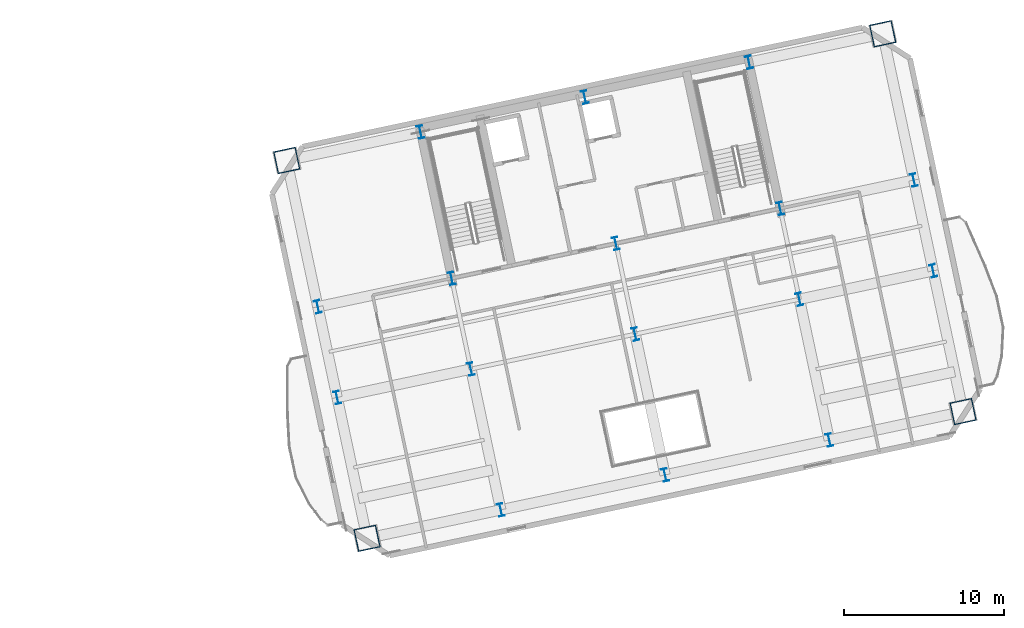
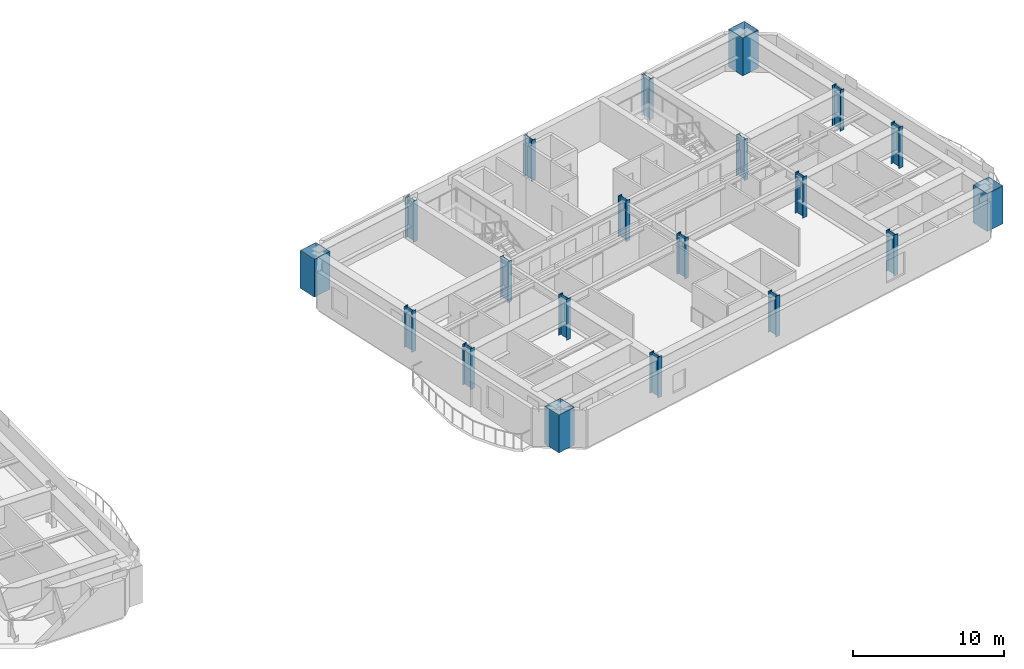
# One storey, part 2 of 15: 20 columns.
"""IFC4 building model written with IfcOpenShell, lengths in metres."""

from ifc_helpers import new_model, si_unit, direction, frame, origin, origin_2d, place, context, subcontext, project, spatial, hollow_rectangle, i_section, extrude, material, material_profile, profile_set, type_object, element, save


model = new_model("IFC4")

# Units and contexts
model_context = context("Model", 3, precision=1e-05, world=origin(), true_north=direction((0.0, 1.0)))
body_context = subcontext(model_context, "Body", "Model", "MODEL_VIEW")
ifc_project = project(units=[si_unit("LENGTHUNIT", "METRE"), si_unit("AREAUNIT", "SQUARE_METRE"), si_unit("VOLUMEUNIT", "CUBIC_METRE"), si_unit("PLANEANGLEUNIT", "RADIAN"), si_unit("MASSUNIT", "GRAM", prefix="KILO")], contexts=[model_context])

# Site, building, storey
site_placement = place(None, origin())
site = spatial("IfcSite", under=ifc_project, at=site_placement, CompositionType="ELEMENT")
building_placement = place(site_placement, origin())
building = spatial("IfcBuilding", under=site, at=building_placement, Name="Haevon Station Towers", CompositionType="ELEMENT")
storey_placement = place(building_placement, frame((0.0, 0.0, 109.800048828125)))
storey = spatial("IfcBuildingStorey", under=building, at=storey_placement, Name="L29", CompositionType="ELEMENT", Elevation=109.800048828125)

# Columns
ifc_material = material(Name="Steel S460", Category="steel")
ifc_material_profile_1 = material_profile(ifc_material, hollow_rectangle(XDim=1.39990234375, YDim=1.39990234375, WallThickness=0.035888671875, at=origin_2d()), Name="BOX-1400x1400x36")
ifc_profile_set_1 = profile_set([ifc_material_profile_1], Name="Steel S460")
column_type_1 = type_object("IfcColumnType", Name="COL-MC3", PredefinedType="COLUMN", material=ifc_profile_set_1)
for number, where, z_axis, x_axis, name in (
    (1, (93.46630859375, 21.188232421875, 0.0), (0.0, 0.0, 1.0), (0.978147600734, 0.207911690818, 0.0), "COL-T2-L29-01-01"),
    (2, (88.4453125, 44.810546875, 0.0), (0.0, 0.0, 1.0), (0.978147600734, 0.207911690818, 0.0), "COL-T2-L29-01-04"),
    (3, (130.733642578125, 29.109619140625, 0.0), (0.0, 0.0, 1.0), (0.978147600734, 0.207911690818, 0.0), "COL-T2-L29-05-01"),
    (4, (125.712646484375, 52.73193359375, 0.0), (0.0, 0.0, 1.0), (0.978147600734, 0.207911690818, 0.0), "COL-T2-L29-05-04"),
):
    element("IfcColumn", number, at=place(storey_placement, frame(where, z_axis=z_axis, x_axis=x_axis)), inside=storey, type_object=column_type_1, Name=name, PredefinedType="COLUMN", context=body_context, shape_type="SweptSolid", body=[
        extrude(hollow_rectangle(XDim=1.39990234375, YDim=1.39990234375, WallThickness=0.035888671875, at=origin_2d()), origin(), (0.0, 0.0, 1.0), 3.050048828125),
    ])
ifc_material_profile_2 = material_profile(ifc_material, i_section(OverallWidth=0.35009765625, OverallDepth=0.800048828125, WebThickness=0.01806640625, FlangeThickness=0.031982421875, at=origin_2d()), Name="H-800x350x18x32")
ifc_profile_set_2 = profile_set([ifc_material_profile_2], Name="Steel S460")
column_type_2 = type_object("IfcColumnType", Name="COL-TW2", PredefinedType="COLUMN", material=ifc_profile_set_2)
for number, where, z_axis, x_axis, name in (
    (5, (91.594970703125, 29.991455078125, 0.0), (0.0, 0.0, 1.0), (0.978147600734, 0.207911690818, 0.0), "COL-T2-L29-01-02"),
    (6, (90.38916015625, 35.664794921875, 0.0), (0.0, 0.0, 1.0), (0.978147600734, 0.207911690818, 0.0), "COL-T2-L29-01-03"),
    (7, (101.829345703125, 22.9658203125, 0.0), (0.0, 0.0, 1.0), (0.978147600734, 0.207911690818, 0.0), "COL-T2-L29-02-01"),
    (8, (99.958251953125, 31.76904296875, 0.0), (0.0, 0.0, 1.0), (0.978147600734, 0.207911690818, 0.0), "COL-T2-L29-02-02"),
    (9, (98.75244140625, 37.4423828125, 0.0), (0.0, 0.0, 1.0), (0.978147600734, 0.207911690818, 0.0), "COL-T2-L29-02-03"),
    (10, (96.808349609375, 46.588134765625, 0.0), (0.0, 0.0, 1.0), (0.978147600734, 0.207911690818, 0.0), "COL-T2-L29-02-04"),
    (11, (112.10009765625, 25.14892578125, 0.0), (0.0, 0.0, 1.0), (0.978147600734, 0.207911690818, 0.0), "COL-T2-L29-03-01"),
    (12, (110.228759765625, 33.9521484375, 0.0), (0.0, 0.0, 1.0), (0.978147600734, 0.207911690818, 0.0), "COL-T2-L29-03-02"),
    (13, (109.02294921875, 39.62548828125, 0.0), (0.0, 0.0, 1.0), (0.978147600734, 0.207911690818, 0.0), "COL-T2-L29-03-03"),
    (14, (107.078857421875, 48.771240234375, 0.0), (0.0, 0.0, 1.0), (0.978147600734, 0.207911690818, 0.0), "COL-T2-L29-03-04"),
    (15, (122.37060546875, 27.33203125, 0.0), (0.0, 0.0, 1.0), (0.978147600734, 0.207911690818, 0.0), "COL-T2-L29-04-01"),
    (16, (120.499267578125, 36.13525390625, 0.0), (0.0, 0.0, 1.0), (0.978147600734, 0.207911690818, 0.0), "COL-T2-L29-04-02"),
    (17, (119.29345703125, 41.80859375, 0.0), (0.0, 0.0, 1.0), (0.978147600734, 0.207911690818, 0.0), "COL-T2-L29-04-03"),
    (18, (117.349365234375, 50.954345703125, 0.0), (0.0, 0.0, 1.0), (0.978147600734, 0.207911690818, 0.0), "COL-T2-L29-04-04"),
    (19, (128.862548828125, 37.912841796875, 0.0), (0.0, 0.0, 1.0), (0.978147600734, 0.207911690818, 0.0), "COL-T2-L29-05-02"),
    (20, (127.656494140625, 43.586181640625, 0.0), (0.0, 0.0, 1.0), (0.978147600734, 0.207911690818, 0.0), "COL-T2-L29-05-03"),
):
    element("IfcColumn", number, at=place(storey_placement, frame(where, z_axis=z_axis, x_axis=x_axis)), inside=storey, type_object=column_type_2, Name=name, PredefinedType="COLUMN", context=body_context, shape_type="SweptSolid", body=[
        extrude(i_section(OverallWidth=0.35009765625, OverallDepth=0.800048828125, WebThickness=0.01806640625, FlangeThickness=0.031982421875, at=origin_2d()), origin(), (0.0, 0.0, 1.0), 3.300048828125),
    ])

save(model, "model.ifc")
